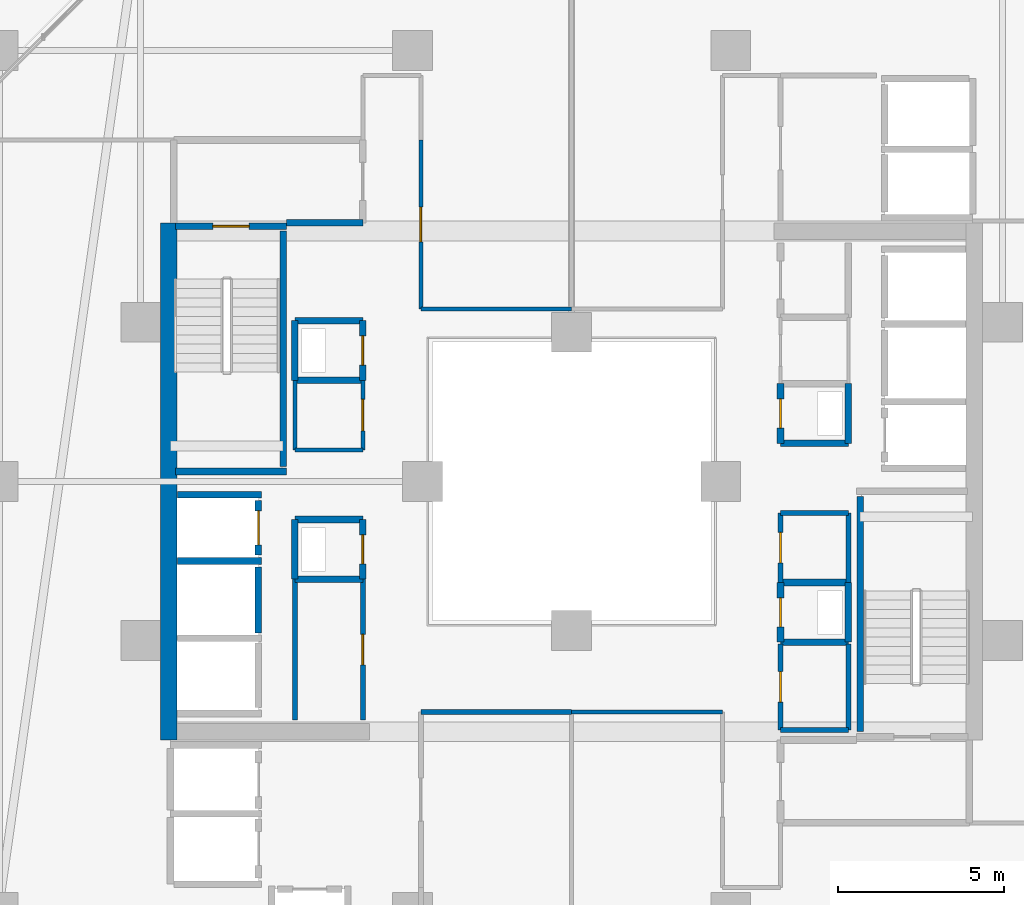
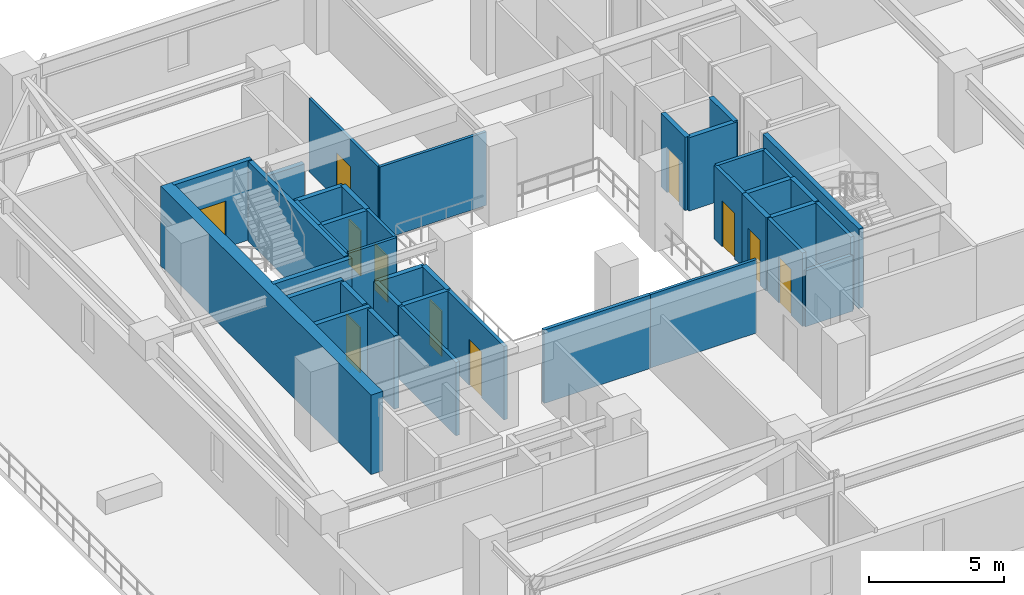
# One storey, part 23 of 31: 40 walls, 11 doors, 11 openings.
"""IFC4 building model written with IfcOpenShell, lengths in metres."""

from ifc_helpers import new_model, si_unit, direction, frame, frame_2d, origin, place, context, subcontext, project, spatial, rectangle, extrude, material, layer, layer_set, type_object, element, fill, save


model = new_model("IFC4")

# Units and contexts
model_context = context("Model", 3, precision=1e-05, world=origin(), true_north=direction((0.0, 1.0)))
body_context = subcontext(model_context, "Body", "Model", "MODEL_VIEW")
ifc_project = project(units=[si_unit("LENGTHUNIT", "METRE"), si_unit("AREAUNIT", "SQUARE_METRE"), si_unit("VOLUMEUNIT", "CUBIC_METRE"), si_unit("PLANEANGLEUNIT", "RADIAN"), si_unit("MASSUNIT", "GRAM", prefix="KILO")], contexts=[model_context])

# Site, building, storey
site_placement = place(None, origin())
site = spatial("IfcSite", under=ifc_project, at=site_placement, CompositionType="ELEMENT")
building_placement = place(site_placement, origin())
building = spatial("IfcBuilding", under=site, at=building_placement, Name="Thornwick Lancets Civic Towers", CompositionType="ELEMENT")
storey_placement = place(building_placement, frame((0.0, 0.0, 119.699951171875)))
storey = spatial("IfcBuildingStorey", under=building, at=storey_placement, Name="L31", CompositionType="ELEMENT", Elevation=119.699951171875)

# Wall, opening, door
ifc_material_1 = material(Name="Concrete blockwork C40/50", Category="masonry")
ifc_layer_1 = layer(ifc_material_1, 0.199951171875, Name="Concrete blockwork C40/50")
ifc_layer_set_1 = layer_set([ifc_layer_1], Name="Concrete blockwork C40/50")
wall_type_1 = type_object("IfcWallType", Name="WALL_COMP_200", PredefinedType="STANDARD", material=ifc_layer_set_1)
wall_1_placement = place(storey_placement, frame((79.050048828125, 24.780029296875, 0.0), z_axis=(0.0, 0.0, 1.0), x_axis=(0.0, 1.0, 0.0)))
wall_1 = element("IfcWall", 1, at=wall_1_placement, inside=storey, type_object=wall_type_1, Name="L31 Hoistway Front Wall FL-B2", PredefinedType="STANDARD", context=body_context, shape_type="SweptSolid", body=[
    extrude(rectangle(XDim=1.639892578125, YDim=0.199951171875, at=frame_2d((0.81982421875, 0.0))), origin(), (0.0, 0.0, 1.0), 3.320068359375),
])
opening_1_placement = place(wall_1_placement, frame((0.31005859375, 0.0, 0.0)))
opening_1 = element("IfcOpeningElement", 2, at=opening_1_placement, cuts=wall_1, Name="Opening LD-FL-B2", PredefinedType="OPENING", context=body_context, shape_type="SweptSolid", body=[
    extrude(rectangle(XDim=1.02001953125, YDim=2.06005859375, at=frame_2d((0.510009765625, 1.030029296875))), frame((0.0, 0.10986328125, 0.0), z_axis=(0.0, -1.0, 0.0), x_axis=(1.0, 0.0, 0.0)), (0.0, 0.0, 1.0), 0.219970703125),
])
ifc_material_2 = material(Name="Brushed bronze stainless steel", Category="steel")
door_type_1 = type_object("IfcDoorType", Name="DOOR_LIFT_SLIDE", OperationType="SLIDING_TO_LEFT", PredefinedType="DOOR", material=ifc_material_2)
door_1_placement = place(opening_1_placement, origin())
door_1 = element("IfcDoor", 3, at=door_1_placement, inside=storey, type_object=door_type_1, Name="L31 Sliding Lift Landing Door LD-FL-B2", OperationType="SLIDING_TO_LEFT", OverallHeight=2.06005859375, OverallWidth=1.02001953125, PredefinedType="DOOR", context=body_context, shape_type="SweptSolid", body=[
    extrude(rectangle(XDim=1.02001953125, YDim=2.06005859375, at=frame_2d((0.510009765625, 1.030029296875))), frame((0.0, 0.02490234375, 0.0), z_axis=(0.0, -1.0, 0.0), x_axis=(1.0, 0.0, 0.0)), (0.0, 0.0, 1.0), 0.050048828125),
])
fill(opening_1, door_1)

# Walls
wall_2_placement = place(storey_placement, frame((79.050048828125, 22.429931640625, 0.0), z_axis=(0.0, 0.0, 1.0), x_axis=(0.0, 1.0, 0.0)))
element("IfcWall", 4, at=wall_2_placement, inside=storey, type_object=wall_type_1, Name="L31 Hoistway Front Wall PL-BH2", PredefinedType="STANDARD", context=body_context, shape_type="SweptSolid", body=[
    extrude(rectangle(XDim=1.989990234375, YDim=0.199951171875, at=frame_2d((0.9951171875, 0.0))), origin(), (0.0, 0.0, 1.0), 3.320068359375),
])
for number, where, z_axis, x_axis, name in (
    (5, (76.612060546875, 26.60009765625, 0.0), (0.0, 0.0, 1.0), (1.0, 0.0, 0.0), "L31 Hoistway Shaft Wall FL-B2 N"),
    (6, (76.612060546875, 24.60009765625, 0.0), (0.0, 0.0, 1.0), (1.0, 0.0, 0.0), "L31 Hoistway Shaft Wall FL-B2 S"),
):
    element("IfcWall", number, at=place(storey_placement, frame(where, z_axis=z_axis, x_axis=x_axis)), inside=storey, type_object=wall_type_1, Name=name, PredefinedType="STANDARD", context=body_context, shape_type="SweptSolid", body=[
        extrude(rectangle(XDim=2.535888671875, YDim=0.199951171875, at=frame_2d((1.26806640625, 0.0))), origin(), (0.0, 0.0, 1.0), 3.320068359375),
    ])
wall_3_placement = place(storey_placement, frame((79.89990234375, 34.800048828125, 0.0), z_axis=(0.0, 0.0, 1.0), x_axis=(1.0, 0.0, 0.0)))
element("IfcWall", 7, at=wall_3_placement, inside=storey, type_object=wall_type_1, Name="L31 Partition L31-B-FFLOB2 E1", PredefinedType="STANDARD", context=body_context, shape_type="SweptSolid", body=[
    extrude(rectangle(XDim=2.300048828125, YDim=0.199951171875, at=frame_2d((1.14990234375, 0.0))), origin(), (0.0, 0.0, 1.0), 2.525146484375),
])
wall_4_placement = place(storey_placement, frame((94.800048828125, 28.14990234375, 0.0), z_axis=(0.0, 0.0, 1.0), x_axis=(1.0, 0.0, 0.0)))
element("IfcWall", 8, at=wall_4_placement, inside=storey, type_object=wall_type_1, Name="L31 Partition L31-B-DUCT1 E1", PredefinedType="STANDARD", context=body_context, shape_type="SweptSolid", body=[
    extrude(rectangle(XDim=2.050048828125, YDim=0.199951171875, at=frame_2d((1.02490234375, 0.0))), origin(), (0.0, 0.0, 1.0), 3.320068359375),
])
wall_5_placement = place(storey_placement, frame((96.85009765625, 28.14990234375, 0.0), z_axis=(0.0, 0.0, 1.0), x_axis=(0.0, 1.0, 0.0)))
element("IfcWall", 9, at=wall_5_placement, inside=storey, type_object=wall_type_1, Name="L31 Partition L31-B-DUCT1 E2", PredefinedType="STANDARD", context=body_context, shape_type="SweptSolid", body=[
    extrude(rectangle(XDim=1.800048828125, YDim=0.199951171875, at=frame_2d((0.89990234375, 0.0))), origin(), (0.0, 0.0, 1.0), 3.320068359375),
])

# Wall, opening, door
wall_6_placement = place(storey_placement, frame((94.800048828125, 29.949951171875, 0.0), z_axis=(0.0, 0.0, 1.0), x_axis=(0.0, -1.0, 0.0)))
wall_6 = element("IfcWall", 10, at=wall_6_placement, inside=storey, type_object=wall_type_1, Name="L31 Partition L31-B-DUCT1 E4", PredefinedType="STANDARD", context=body_context, shape_type="SweptSolid", body=[
    extrude(rectangle(XDim=1.800048828125, YDim=0.199951171875, at=frame_2d((0.89990234375, 0.0))), origin(), (0.0, 0.0, 1.0), 3.320068359375),
])
opening_2_placement = place(wall_6_placement, frame((0.4599609375, 0.0, 0.0)))
opening_2 = element("IfcOpeningElement", 11, at=opening_2_placement, cuts=wall_6, Name="Opening D-L31-1433", PredefinedType="OPENING", context=body_context, shape_type="SweptSolid", body=[
    extrude(rectangle(XDim=0.8798828125, YDim=2.0400390625, at=frame_2d((0.43994140625, 1.02001953125))), frame((0.0, 0.10986328125, 0.0), z_axis=(0.0, -1.0, 0.0), x_axis=(1.0, 0.0, 0.0)), (0.0, 0.0, 1.0), 0.219970703125),
])
ifc_material_3 = material(Name="Steel riser access doorset", Category="steel")
door_type_2 = type_object("IfcDoorType", Name="DOOR_RISER_850", OperationType="NOTDEFINED", PredefinedType="DOOR", material=ifc_material_3)
door_2_placement = place(opening_2_placement, origin())
door_2 = element("IfcDoor", 12, at=door_2_placement, inside=storey, type_object=door_type_2, Name="L31 East Service Duct 1 Door", OperationType="SINGLE_SWING_RIGHT", OverallHeight=2.0400390625, OverallWidth=0.8798828125, PredefinedType="DOOR", context=body_context, shape_type="SweptSolid", body=[
    extrude(rectangle(XDim=0.8798828125, YDim=2.0400390625, at=frame_2d((0.43994140625, 1.02001953125))), frame((0.0, 0.02490234375, 0.0), z_axis=(0.0, -1.0, 0.0), x_axis=(1.0, 0.0, 0.0)), (0.0, 0.0, 1.0), 0.050048828125),
])
fill(opening_2, door_2)

# Walls
wall_7_placement = place(storey_placement, frame((94.800048828125, 22.14990234375, 0.0), z_axis=(0.0, 0.0, 1.0), x_axis=(1.0, 0.0, 0.0)))
element("IfcWall", 13, at=wall_7_placement, inside=storey, type_object=wall_type_1, Name="L31 Partition L31-B-RISER1 E1", PredefinedType="STANDARD", context=body_context, shape_type="SweptSolid", body=[
    extrude(rectangle(XDim=2.050048828125, YDim=0.199951171875, at=frame_2d((1.02490234375, 0.0))), origin(), (0.0, 0.0, 1.0), 3.320068359375),
])
wall_8_placement = place(storey_placement, frame((96.85009765625, 22.14990234375, 0.0), z_axis=(0.0, 0.0, 1.0), x_axis=(0.0, 1.0, 0.0)))
element("IfcWall", 14, at=wall_8_placement, inside=storey, type_object=wall_type_1, Name="L31 Partition L31-B-RISER1 E2", PredefinedType="STANDARD", context=body_context, shape_type="SweptSolid", body=[
    extrude(rectangle(XDim=1.800048828125, YDim=0.199951171875, at=frame_2d((0.89990234375, 0.0))), origin(), (0.0, 0.0, 1.0), 3.320068359375),
])
wall_9_placement = place(storey_placement, frame((96.85009765625, 23.949951171875, 0.0), z_axis=(0.0, 0.0, 1.0), x_axis=(-1.0, 0.0, 0.0)))
element("IfcWall", 15, at=wall_9_placement, inside=storey, type_object=wall_type_1, Name="L31 Partition L31-B-RISER1 E3", PredefinedType="STANDARD", context=body_context, shape_type="SweptSolid", body=[
    extrude(rectangle(XDim=2.050048828125, YDim=0.199951171875, at=frame_2d((1.02490234375, 0.0))), origin(), (0.0, 0.0, 1.0), 3.320068359375),
])

# Wall, opening, door
wall_10_placement = place(storey_placement, frame((94.800048828125, 23.949951171875, 0.0), z_axis=(0.0, 0.0, 1.0), x_axis=(0.0, -1.0, 0.0)))
wall_10 = element("IfcWall", 16, at=wall_10_placement, inside=storey, type_object=wall_type_1, Name="L31 Partition L31-B-RISER1 E4", PredefinedType="STANDARD", context=body_context, shape_type="SweptSolid", body=[
    extrude(rectangle(XDim=1.800048828125, YDim=0.199951171875, at=frame_2d((0.89990234375, 0.0))), origin(), (0.0, 0.0, 1.0), 3.320068359375),
])
opening_3_placement = place(wall_10_placement, frame((0.4599609375, 0.0, 0.0)))
opening_3 = element("IfcOpeningElement", 17, at=opening_3_placement, cuts=wall_10, Name="Opening D-L31-1434", PredefinedType="OPENING", context=body_context, shape_type="SweptSolid", body=[
    extrude(rectangle(XDim=0.8798828125, YDim=2.0400390625, at=frame_2d((0.43994140625, 1.02001953125))), frame((0.0, 0.10986328125, 0.0), z_axis=(0.0, -1.0, 0.0), x_axis=(1.0, 0.0, 0.0)), (0.0, 0.0, 1.0), 0.219970703125),
])
door_3_placement = place(opening_3_placement, origin())
door_3 = element("IfcDoor", 18, at=door_3_placement, inside=storey, type_object=door_type_2, Name="L31 East Electrical Riser 1 Door", OperationType="SINGLE_SWING_LEFT", OverallHeight=2.0400390625, OverallWidth=0.8798828125, PredefinedType="DOOR", context=body_context, shape_type="SweptSolid", body=[
    extrude(rectangle(XDim=0.8798828125, YDim=2.0400390625, at=frame_2d((0.43994140625, 1.02001953125))), frame((0.0, 0.02490234375, 0.0), z_axis=(0.0, -1.0, 0.0), x_axis=(1.0, 0.0, 0.0)), (0.0, 0.0, 1.0), 0.050048828125),
])
fill(opening_3, door_3)

# Wall
wall_11_placement = place(storey_placement, frame((80.14990234375, 24.050048828125, 0.0), z_axis=(0.0, 0.0, 1.0), x_axis=(1.0, 0.0, 0.0)))
element("IfcWall", 19, at=wall_11_placement, inside=storey, type_object=wall_type_1, Name="L31 Partition L31-B-DUCT2 E1", PredefinedType="STANDARD", context=body_context, shape_type="SweptSolid", body=[
    extrude(rectangle(XDim=2.050048828125, YDim=0.199951171875, at=frame_2d((1.02490234375, 0.0))), origin(), (0.0, 0.0, 1.0), 3.320068359375),
])

# Wall, opening, door
wall_12_placement = place(storey_placement, frame((82.199951171875, 24.050048828125, 0.0), z_axis=(0.0, 0.0, 1.0), x_axis=(0.0, 1.0, 0.0)))
wall_12 = element("IfcWall", 20, at=wall_12_placement, inside=storey, type_object=wall_type_1, Name="L31 Partition L31-B-DUCT2 E2", PredefinedType="STANDARD", context=body_context, shape_type="SweptSolid", body=[
    extrude(rectangle(XDim=1.800048828125, YDim=0.199951171875, at=frame_2d((0.89990234375, 0.0))), origin(), (0.0, 0.0, 1.0), 3.320068359375),
])
opening_4_placement = place(wall_12_placement, frame((0.4599609375, 0.0, 0.0)))
opening_4 = element("IfcOpeningElement", 21, at=opening_4_placement, cuts=wall_12, Name="Opening D-L31-1435", PredefinedType="OPENING", context=body_context, shape_type="SweptSolid", body=[
    extrude(rectangle(XDim=0.8798828125, YDim=2.0400390625, at=frame_2d((0.43994140625, 1.02001953125))), frame((0.0, 0.10986328125, 0.0), z_axis=(0.0, -1.0, 0.0), x_axis=(1.0, 0.0, 0.0)), (0.0, 0.0, 1.0), 0.219970703125),
])
door_4_placement = place(opening_4_placement, origin())
door_4 = element("IfcDoor", 22, at=door_4_placement, inside=storey, type_object=door_type_2, Name="L31 West Service Duct 2 Door", OperationType="SINGLE_SWING_RIGHT", OverallHeight=2.0400390625, OverallWidth=0.8798828125, PredefinedType="DOOR", context=body_context, shape_type="SweptSolid", body=[
    extrude(rectangle(XDim=0.8798828125, YDim=2.0400390625, at=frame_2d((0.43994140625, 1.02001953125))), frame((0.0, 0.02490234375, 0.0), z_axis=(0.0, -1.0, 0.0), x_axis=(1.0, 0.0, 0.0)), (0.0, 0.0, 1.0), 0.050048828125),
])
fill(opening_4, door_4)

# Walls
wall_13_placement = place(storey_placement, frame((82.199951171875, 25.85009765625, 0.0), z_axis=(0.0, 0.0, 1.0), x_axis=(-1.0, 0.0, 0.0)))
element("IfcWall", 23, at=wall_13_placement, inside=storey, type_object=wall_type_1, Name="L31 Partition L31-B-DUCT2 E3", PredefinedType="STANDARD", context=body_context, shape_type="SweptSolid", body=[
    extrude(rectangle(XDim=2.050048828125, YDim=0.199951171875, at=frame_2d((1.02490234375, 0.0))), origin(), (0.0, 0.0, 1.0), 3.320068359375),
])
wall_14_placement = place(storey_placement, frame((80.14990234375, 25.85009765625, 0.0), z_axis=(0.0, 0.0, 1.0), x_axis=(0.0, -1.0, 0.0)))
element("IfcWall", 24, at=wall_14_placement, inside=storey, type_object=wall_type_1, Name="L31 Partition L31-B-DUCT2 E4", PredefinedType="STANDARD", context=body_context, shape_type="SweptSolid", body=[
    extrude(rectangle(XDim=1.800048828125, YDim=0.199951171875, at=frame_2d((0.89990234375, 0.0))), origin(), (0.0, 0.0, 1.0), 3.320068359375),
])
wall_15_placement = place(storey_placement, frame((80.14990234375, 30.050048828125, 0.0), z_axis=(0.0, 0.0, 1.0), x_axis=(1.0, 0.0, 0.0)))
element("IfcWall", 25, at=wall_15_placement, inside=storey, type_object=wall_type_1, Name="L31 Partition L31-B-RISER2 E1", PredefinedType="STANDARD", context=body_context, shape_type="SweptSolid", body=[
    extrude(rectangle(XDim=2.050048828125, YDim=0.199951171875, at=frame_2d((1.02490234375, 0.0))), origin(), (0.0, 0.0, 1.0), 3.320068359375),
])

# Wall, opening, door
wall_16_placement = place(storey_placement, frame((82.199951171875, 30.050048828125, 0.0), z_axis=(0.0, 0.0, 1.0), x_axis=(0.0, 1.0, 0.0)))
wall_16 = element("IfcWall", 26, at=wall_16_placement, inside=storey, type_object=wall_type_1, Name="L31 Partition L31-B-RISER2 E2", PredefinedType="STANDARD", context=body_context, shape_type="SweptSolid", body=[
    extrude(rectangle(XDim=1.800048828125, YDim=0.199951171875, at=frame_2d((0.89990234375, 0.0))), origin(), (0.0, 0.0, 1.0), 3.320068359375),
])
opening_5_placement = place(wall_16_placement, frame((0.4599609375, 0.0, 0.0)))
opening_5 = element("IfcOpeningElement", 27, at=opening_5_placement, cuts=wall_16, Name="Opening D-L31-1436", PredefinedType="OPENING", context=body_context, shape_type="SweptSolid", body=[
    extrude(rectangle(XDim=0.8798828125, YDim=2.0400390625, at=frame_2d((0.43994140625, 1.02001953125))), frame((0.0, 0.10986328125, 0.0), z_axis=(0.0, -1.0, 0.0), x_axis=(1.0, 0.0, 0.0)), (0.0, 0.0, 1.0), 0.219970703125),
])
door_5_placement = place(opening_5_placement, origin())
door_5 = element("IfcDoor", 28, at=door_5_placement, inside=storey, type_object=door_type_2, Name="L31 West Service Riser 2 Door", OperationType="SINGLE_SWING_LEFT", OverallHeight=2.0400390625, OverallWidth=0.8798828125, PredefinedType="DOOR", context=body_context, shape_type="SweptSolid", body=[
    extrude(rectangle(XDim=0.8798828125, YDim=2.0400390625, at=frame_2d((0.43994140625, 1.02001953125))), frame((0.0, 0.02490234375, 0.0), z_axis=(0.0, -1.0, 0.0), x_axis=(1.0, 0.0, 0.0)), (0.0, 0.0, 1.0), 0.050048828125),
])
fill(opening_5, door_5)

# Walls
wall_17_placement = place(storey_placement, frame((82.199951171875, 31.85009765625, 0.0), z_axis=(0.0, 0.0, 1.0), x_axis=(-1.0, 0.0, 0.0)))
element("IfcWall", 29, at=wall_17_placement, inside=storey, type_object=wall_type_1, Name="L31 Partition L31-B-RISER2 E3", PredefinedType="STANDARD", context=body_context, shape_type="SweptSolid", body=[
    extrude(rectangle(XDim=2.050048828125, YDim=0.199951171875, at=frame_2d((1.02490234375, 0.0))), origin(), (0.0, 0.0, 1.0), 3.320068359375),
])
wall_18_placement = place(storey_placement, frame((80.14990234375, 31.85009765625, 0.0), z_axis=(0.0, 0.0, 1.0), x_axis=(0.0, -1.0, 0.0)))
element("IfcWall", 30, at=wall_18_placement, inside=storey, type_object=wall_type_1, Name="L31 Partition L31-B-RISER2 E4", PredefinedType="STANDARD", context=body_context, shape_type="SweptSolid", body=[
    extrude(rectangle(XDim=1.800048828125, YDim=0.199951171875, at=frame_2d((0.89990234375, 0.0))), origin(), (0.0, 0.0, 1.0), 3.320068359375),
])
ifc_material_4 = material(Name="Concrete C50/60", Category="concrete")
ifc_layer_2 = layer(ifc_material_4, 0.5, Name="Concrete C50/60")
ifc_layer_set_2 = layer_set([ifc_layer_2], Name="Concrete C50/60")
wall_type_2 = type_object("IfcWallType", Name="WALL_CORE_500", PredefinedType="SHEAR", material=ifc_layer_set_2)
wall_19_placement = place(storey_placement, frame((76.35009765625, 19.199951171875, 0.0), z_axis=(0.0, 0.0, 1.0), x_axis=(0.0, 1.0, 0.0)))
element("IfcWall", 31, at=wall_19_placement, inside=storey, type_object=wall_type_2, Name="L31 Split Core B2 Shear Wall W", PredefinedType="SHEAR", context=body_context, shape_type="SweptSolid", body=[
    extrude(rectangle(XDim=15.60009765625, YDim=0.5, at=frame_2d((7.800048828125, 0.0))), origin(), (0.0, 0.0, 1.0), 3.60009765625),
])
ifc_material_5 = material(Name="Acoustic gypsum board partition")
ifc_layer_3 = layer(ifc_material_5, 0.1201171875, Name="Acoustic gypsum board partition")
ifc_layer_set_3 = layer_set([ifc_layer_3], Name="Acoustic gypsum board partition")
wall_type_3 = type_object("IfcWallType", Name="WALL_PART_120", PredefinedType="PARTITIONING", material=ifc_layer_set_3)
wall_20_placement = place(storey_placement, frame((82.199951171875, 27.949951171875, 0.0), z_axis=(0.0, 0.0, 1.0), x_axis=(-1.0, 0.0, 0.0)))
element("IfcWall", 32, at=wall_20_placement, inside=storey, type_object=wall_type_3, Name="L31 Partition L31-B-ITR E1", PredefinedType="PARTITIONING", context=body_context, shape_type="SweptSolid", body=[
    extrude(rectangle(XDim=2.050048828125, YDim=0.1201171875, at=frame_2d((1.02490234375, 0.0))), origin(), (0.0, 0.0, 1.0), 3.320068359375),
])
wall_21_placement = place(storey_placement, frame((80.14990234375, 27.949951171875, 0.0), z_axis=(0.0, 0.0, 1.0), x_axis=(0.0, 1.0, 0.0)))
element("IfcWall", 33, at=wall_21_placement, inside=storey, type_object=wall_type_3, Name="L31 Partition L31-B-ITR E2", PredefinedType="PARTITIONING", context=body_context, shape_type="SweptSolid", body=[
    extrude(rectangle(XDim=2.10009765625, YDim=0.1201171875, at=frame_2d((1.050048828125, 0.0))), origin(), (0.0, 0.0, 1.0), 3.320068359375),
])

# Wall, opening, door
wall_22_placement = place(storey_placement, frame((82.199951171875, 30.050048828125, 0.0), z_axis=(0.0, 0.0, 1.0), x_axis=(0.0, -1.0, 0.0)))
wall_22 = element("IfcWall", 34, at=wall_22_placement, inside=storey, type_object=wall_type_3, Name="L31 Partition L31-B-ITR E4", PredefinedType="PARTITIONING", context=body_context, shape_type="SweptSolid", body=[
    extrude(rectangle(XDim=2.10009765625, YDim=0.1201171875, at=frame_2d((1.050048828125, 0.0))), origin(), (0.0, 0.0, 1.0), 3.320068359375),
])
opening_6_placement = place(wall_22_placement, frame((0.574951171875, 0.0, 0.0)))
opening_6 = element("IfcOpeningElement", 35, at=opening_6_placement, cuts=wall_22, Name="Opening D-L31-1442", PredefinedType="OPENING", context=body_context, shape_type="SweptSolid", body=[
    extrude(rectangle(XDim=0.949951171875, YDim=2.10009765625, at=frame_2d((0.47509765625, 1.050048828125))), frame((0.0, 0.070068359375, 0.0), z_axis=(0.0, -1.0, 0.0), x_axis=(1.0, 0.0, 0.0)), (0.0, 0.0, 1.0), 0.14013671875),
])
ifc_material_6 = material(Name="European oak acoustic doorset")
door_type_3 = type_object("IfcDoorType", Name="DOOR_OFFICE_950", OperationType="NOTDEFINED", PredefinedType="DOOR", material=ifc_material_6)
door_6_placement = place(opening_6_placement, origin())
door_6 = element("IfcDoor", 36, at=door_6_placement, inside=storey, type_object=door_type_3, Name="L31 Tower B Comms Patch Room Door", OperationType="SINGLE_SWING_LEFT", OverallHeight=2.10009765625, OverallWidth=0.949951171875, PredefinedType="DOOR", context=body_context, shape_type="SweptSolid", body=[
    extrude(rectangle(XDim=0.949951171875, YDim=2.10009765625, at=frame_2d((0.47509765625, 1.050048828125))), frame((0.0, 0.02490234375, 0.0), z_axis=(0.0, -1.0, 0.0), x_axis=(1.0, 0.0, 0.0)), (0.0, 0.0, 1.0), 0.050048828125),
])
fill(opening_6, door_6)

# Wall
wall_23_placement = place(storey_placement, frame((88.5, 20.050048828125, 0.0), z_axis=(0.0, 0.0, 1.0), x_axis=(1.0, 0.0, 0.0)))
element("IfcWall", 37, at=wall_23_placement, inside=storey, type_object=wall_type_3, Name="L31 Partition L31-B-W1 E3", PredefinedType="PARTITIONING", context=body_context, shape_type="SweptSolid", body=[
    extrude(rectangle(XDim=4.550048828125, YDim=0.1201171875, at=frame_2d((2.27490234375, 0.0))), origin(), (0.0, 0.0, 1.0), 3.320068359375),
])

# Wall, opening, door
wall_24_placement = place(storey_placement, frame((83.949951171875, 32.199951171875, 0.0), z_axis=(0.0, 0.0, 1.0), x_axis=(0.0, 1.0, 0.0)))
wall_24 = element("IfcWall", 38, at=wall_24_placement, inside=storey, type_object=wall_type_3, Name="L31 Partition L31-B-E3 E1", PredefinedType="PARTITIONING", context=body_context, shape_type="SweptSolid", body=[
    extrude(rectangle(XDim=5.10009765625, YDim=0.1201171875, at=frame_2d((2.550048828125, 0.0))), origin(), (0.0, 0.0, 1.0), 3.320068359375),
])
opening_7_placement = place(wall_24_placement, frame((2.02490234375, 0.0, 0.0)))
opening_7 = element("IfcOpeningElement", 39, at=opening_7_placement, cuts=wall_24, Name="Opening D-L31-1452", PredefinedType="OPENING", context=body_context, shape_type="SweptSolid", body=[
    extrude(rectangle(XDim=1.050048828125, YDim=2.10009765625, at=frame_2d((0.52490234375, 1.050048828125))), frame((0.0, 0.070068359375, 0.0), z_axis=(0.0, -1.0, 0.0), x_axis=(1.0, 0.0, 0.0)), (0.0, 0.0, 1.0), 0.14013671875),
])
ifc_material_7 = material(Name="Glazed European oak executive doorset")
door_type_4 = type_object("IfcDoorType", Name="DOOR_OFFICE_1050", OperationType="NOTDEFINED", PredefinedType="DOOR", material=ifc_material_7)
door_7_placement = place(opening_7_placement, origin())
door_7 = element("IfcDoor", 40, at=door_7_placement, inside=storey, type_object=door_type_4, Name="L31 Tower B Civic Seminar Room Door", OperationType="SINGLE_SWING_LEFT", OverallHeight=2.10009765625, OverallWidth=1.050048828125, PredefinedType="DOOR", context=body_context, shape_type="SweptSolid", body=[
    extrude(rectangle(XDim=1.050048828125, YDim=2.10009765625, at=frame_2d((0.52490234375, 1.050048828125))), frame((0.0, 0.02490234375, 0.0), z_axis=(0.0, -1.0, 0.0), x_axis=(1.0, 0.0, 0.0)), (0.0, 0.0, 1.0), 0.050048828125),
])
fill(opening_7, door_7)

# Walls
wall_25_placement = place(storey_placement, frame((88.5, 32.199951171875, 0.0), z_axis=(0.0, 0.0, 1.0), x_axis=(-1.0, 0.0, 0.0)))
element("IfcWall", 41, at=wall_25_placement, inside=storey, type_object=wall_type_3, Name="L31 Partition L31-B-E3 E11", PredefinedType="PARTITIONING", context=body_context, shape_type="SweptSolid", body=[
    extrude(rectangle(XDim=4.550048828125, YDim=0.1201171875, at=frame_2d((2.27490234375, 0.0))), origin(), (0.0, 0.0, 1.0), 3.320068359375),
])
ifc_material_8 = material(Name="Twin-stud acoustic gypsum board")
ifc_layer_4 = layer(ifc_material_8, 0.14990234375, Name="Twin-stud acoustic gypsum board")
ifc_layer_set_4 = layer_set([ifc_layer_4], Name="Twin-stud acoustic gypsum board")
wall_type_4 = type_object("IfcWallType", Name="WALL_PART_150", PredefinedType="PARTITIONING", material=ifc_layer_set_4)
wall_26_placement = place(storey_placement, frame((94.800048828125, 19.5, 0.0), z_axis=(0.0, 0.0, 1.0), x_axis=(1.0, 0.0, 0.0)))
element("IfcWall", 42, at=wall_26_placement, inside=storey, type_object=wall_type_4, Name="L31 Partition L31-B-MWC E1", PredefinedType="PARTITIONING", context=body_context, shape_type="SweptSolid", body=[
    extrude(rectangle(XDim=2.050048828125, YDim=0.14990234375, at=frame_2d((1.02490234375, 0.0))), origin(), (0.0, 0.0, 1.0), 2.525146484375),
])
wall_27_placement = place(storey_placement, frame((96.85009765625, 19.5, 0.0), z_axis=(0.0, 0.0, 1.0), x_axis=(0.0, 1.0, 0.0)))
element("IfcWall", 43, at=wall_27_placement, inside=storey, type_object=wall_type_4, Name="L31 Partition L31-B-MWC E2", PredefinedType="PARTITIONING", context=body_context, shape_type="SweptSolid", body=[
    extrude(rectangle(XDim=2.60009765625, YDim=0.14990234375, at=frame_2d((1.300048828125, 0.0))), origin(), (0.0, 0.0, 1.0), 3.320068359375),
])

# Wall, opening, door
wall_28_placement = place(storey_placement, frame((94.800048828125, 22.10009765625, 0.0), z_axis=(0.0, 0.0, 1.0), x_axis=(0.0, -1.0, 0.0)))
wall_28 = element("IfcWall", 44, at=wall_28_placement, inside=storey, type_object=wall_type_4, Name="L31 Partition L31-B-MWC E4", PredefinedType="PARTITIONING", context=body_context, shape_type="SweptSolid", body=[
    extrude(rectangle(XDim=2.60009765625, YDim=0.14990234375, at=frame_2d((1.300048828125, 0.0))), origin(), (0.0, 0.0, 1.0), 3.320068359375),
])
opening_8_placement = place(wall_28_placement, frame((0.840087890625, 0.0, 0.0)))
opening_8 = element("IfcOpeningElement", 45, at=opening_8_placement, cuts=wall_28, Name="Opening D-L31-1437", PredefinedType="OPENING", context=body_context, shape_type="SweptSolid", body=[
    extrude(rectangle(XDim=0.919921875, YDim=2.080078125, at=frame_2d((0.4599609375, 1.0400390625))), frame((0.0, 0.0849609375, 0.0), z_axis=(0.0, -1.0, 0.0), x_axis=(1.0, 0.0, 0.0)), (0.0, 0.0, 1.0), 0.169921875),
])
ifc_material_9 = material(Name="Moisture-resistant oak doorset")
door_type_5 = type_object("IfcDoorType", Name="DOOR_WC_900", OperationType="NOTDEFINED", PredefinedType="DOOR", material=ifc_material_9)
door_8_placement = place(opening_8_placement, origin())
door_8 = element("IfcDoor", 46, at=door_8_placement, inside=storey, type_object=door_type_5, Name="L31 Tower B Male WC Door", OperationType="SINGLE_SWING_RIGHT", OverallHeight=2.080078125, OverallWidth=0.919921875, PredefinedType="DOOR", context=body_context, shape_type="SweptSolid", body=[
    extrude(rectangle(XDim=0.919921875, YDim=2.080078125, at=frame_2d((0.4599609375, 1.0400390625))), frame((0.0, 0.02490234375, 0.0), z_axis=(0.0, -1.0, 0.0), x_axis=(1.0, 0.0, 0.0)), (0.0, 0.0, 1.0), 0.050048828125),
])
fill(opening_8, door_8)

wall_29_placement = place(storey_placement, frame((94.800048828125, 23.949951171875, 0.0), z_axis=(0.0, 0.0, 1.0), x_axis=(0.0, 1.0, 0.0)))
wall_29 = element("IfcWall", 47, at=wall_29_placement, inside=storey, type_object=wall_type_4, Name="L31 Partition L31-B-AWC E1", PredefinedType="PARTITIONING", context=body_context, shape_type="SweptSolid", body=[
    extrude(rectangle(XDim=2.10009765625, YDim=0.14990234375, at=frame_2d((1.050048828125, 0.0))), origin(), (0.0, 0.0, 1.0), 3.320068359375),
])
opening_9_placement = place(wall_29_placement, frame((0.590087890625, 0.0, 0.0)))
opening_9 = element("IfcOpeningElement", 48, at=opening_9_placement, cuts=wall_29, Name="Opening D-L31-1438", PredefinedType="OPENING", context=body_context, shape_type="SweptSolid", body=[
    extrude(rectangle(XDim=0.919921875, YDim=2.080078125, at=frame_2d((0.4599609375, 1.0400390625))), frame((0.0, 0.0849609375, 0.0), z_axis=(0.0, -1.0, 0.0), x_axis=(1.0, 0.0, 0.0)), (0.0, 0.0, 1.0), 0.169921875),
])
door_9_placement = place(opening_9_placement, origin())
door_9 = element("IfcDoor", 49, at=door_9_placement, inside=storey, type_object=door_type_5, Name="L31 Tower B Accessible WC Door", OperationType="SINGLE_SWING_LEFT", OverallHeight=2.080078125, OverallWidth=0.919921875, PredefinedType="DOOR", context=body_context, shape_type="SweptSolid", body=[
    extrude(rectangle(XDim=0.919921875, YDim=2.080078125, at=frame_2d((0.4599609375, 1.0400390625))), frame((0.0, 0.02490234375, 0.0), z_axis=(0.0, -1.0, 0.0), x_axis=(1.0, 0.0, 0.0)), (0.0, 0.0, 1.0), 0.050048828125),
])
fill(opening_9, door_9)

# Walls
wall_30_placement = place(storey_placement, frame((94.800048828125, 26.050048828125, 0.0), z_axis=(0.0, 0.0, 1.0), x_axis=(1.0, 0.0, 0.0)))
element("IfcWall", 50, at=wall_30_placement, inside=storey, type_object=wall_type_4, Name="L31 Partition L31-B-AWC E2", PredefinedType="PARTITIONING", context=body_context, shape_type="SweptSolid", body=[
    extrude(rectangle(XDim=2.050048828125, YDim=0.14990234375, at=frame_2d((1.02490234375, 0.0))), origin(), (0.0, 0.0, 1.0), 3.320068359375),
])
wall_31_placement = place(storey_placement, frame((96.85009765625, 26.050048828125, 0.0), z_axis=(0.0, 0.0, 1.0), x_axis=(0.0, -1.0, 0.0)))
element("IfcWall", 51, at=wall_31_placement, inside=storey, type_object=wall_type_4, Name="L31 Partition L31-B-AWC E3", PredefinedType="PARTITIONING", context=body_context, shape_type="SweptSolid", body=[
    extrude(rectangle(XDim=2.10009765625, YDim=0.14990234375, at=frame_2d((1.050048828125, 0.0))), origin(), (0.0, 0.0, 1.0), 3.320068359375),
])
wall_32_placement = place(storey_placement, frame((80.14990234375, 19.800048828125, 0.0), z_axis=(0.0, 0.0, 1.0), x_axis=(0.0, 1.0, 0.0)))
element("IfcWall", 52, at=wall_32_placement, inside=storey, type_object=wall_type_4, Name="L31 Partition L31-B-FWC E2", PredefinedType="PARTITIONING", context=body_context, shape_type="SweptSolid", body=[
    extrude(rectangle(XDim=4.25, YDim=0.14990234375, at=frame_2d((2.125, 0.0))), origin(), (0.0, 0.0, 1.0), 3.320068359375),
])

# Wall, opening, door
wall_33_placement = place(storey_placement, frame((82.199951171875, 24.050048828125, 0.0), z_axis=(0.0, 0.0, 1.0), x_axis=(0.0, -1.0, 0.0)))
wall_33 = element("IfcWall", 53, at=wall_33_placement, inside=storey, type_object=wall_type_4, Name="L31 Partition L31-B-FWC E4", PredefinedType="PARTITIONING", context=body_context, shape_type="SweptSolid", body=[
    extrude(rectangle(XDim=4.25, YDim=0.14990234375, at=frame_2d((2.125, 0.0))), origin(), (0.0, 0.0, 1.0), 3.320068359375),
])
opening_10_placement = place(wall_33_placement, frame((1.6650390625, 0.0, 0.0)))
opening_10 = element("IfcOpeningElement", 54, at=opening_10_placement, cuts=wall_33, Name="Opening D-L31-1441", PredefinedType="OPENING", context=body_context, shape_type="SweptSolid", body=[
    extrude(rectangle(XDim=0.919921875, YDim=2.080078125, at=frame_2d((0.4599609375, 1.0400390625))), frame((0.0, 0.0849609375, 0.0), z_axis=(0.0, -1.0, 0.0), x_axis=(1.0, 0.0, 0.0)), (0.0, 0.0, 1.0), 0.169921875),
])
door_10_placement = place(opening_10_placement, origin())
door_10 = element("IfcDoor", 55, at=door_10_placement, inside=storey, type_object=door_type_5, Name="L31 Tower B Female WC Door", OperationType="SINGLE_SWING_RIGHT", OverallHeight=2.080078125, OverallWidth=0.919921875, PredefinedType="DOOR", context=body_context, shape_type="SweptSolid", body=[
    extrude(rectangle(XDim=0.919921875, YDim=2.080078125, at=frame_2d((0.4599609375, 1.0400390625))), frame((0.0, 0.02490234375, 0.0), z_axis=(0.0, -1.0, 0.0), x_axis=(1.0, 0.0, 0.0)), (0.0, 0.0, 1.0), 0.050048828125),
])
fill(opening_10, door_10)

# Walls
wall_34_placement = place(storey_placement, frame((83.949951171875, 20.050048828125, 0.0), z_axis=(0.0, 0.0, 1.0), x_axis=(1.0, 0.0, 0.0)))
element("IfcWall", 56, at=wall_34_placement, inside=storey, type_object=wall_type_4, Name="L31 Partition L31-B-W2 E2", PredefinedType="PARTITIONING", context=body_context, shape_type="SweptSolid", body=[
    extrude(rectangle(XDim=4.550048828125, YDim=0.14990234375, at=frame_2d((2.27490234375, 0.0))), origin(), (0.0, 0.0, 1.0), 3.320068359375),
])
ifc_material_10 = material(Name="Concrete C40/50", Category="concrete")
ifc_layer_5 = layer(ifc_material_10, 0.199951171875, Name="Concrete C40/50")
ifc_layer_set_5 = layer_set([ifc_layer_5], Name="Concrete C40/50")
wall_type_5 = type_object("IfcWallType", Name="WALL_SHAFT_200", PredefinedType="SHEAR", material=ifc_layer_set_5)
wall_35_placement = place(storey_placement, frame((97.202880859375, 26.550048828125, 0.0), z_axis=(0.0, 0.0, 1.0), x_axis=(0.0, -1.0, 0.0)))
element("IfcWall", 57, at=wall_35_placement, inside=storey, type_object=wall_type_5, Name="L31 ST-B1 Fire Stair Core Wall RIGHT", PredefinedType="SHEAR", context=body_context, shape_type="SweptSolid", body=[
    extrude(rectangle(XDim=7.10009765625, YDim=0.199951171875, at=frame_2d((3.550048828125, 0.0))), origin(), (0.0, 0.0, 1.0), 3.60009765625),
])

# Wall, opening, door
wall_36_placement = place(storey_placement, frame((76.550048828125, 34.699951171875, 0.0), z_axis=(0.0, 0.0, 1.0), x_axis=(1.0, 0.0, 0.0)))
wall_36 = element("IfcWall", 58, at=wall_36_placement, inside=storey, type_object=wall_type_5, Name="L31 ST-B2 Fire Stair Core Wall NEAR", PredefinedType="SHEAR", context=body_context, shape_type="SweptSolid", body=[
    extrude(rectangle(XDim=3.349853515625, YDim=0.199951171875, at=frame_2d((1.6748046875, 0.0))), origin(), (0.0, 0.0, 1.0), 3.60009765625),
])
opening_11_placement = place(wall_36_placement, frame((1.125, 0.0, 0.0)))
opening_11 = element("IfcOpeningElement", 59, at=opening_11_placement, cuts=wall_36, Name="Opening D-ST-B2-L31", PredefinedType="OPENING", context=body_context, shape_type="SweptSolid", body=[
    extrude(rectangle(XDim=1.10009765625, YDim=2.10009765625, at=frame_2d((0.550048828125, 1.050048828125))), frame((0.0, 0.10986328125, 0.0), z_axis=(0.0, -1.0, 0.0), x_axis=(1.0, 0.0, 0.0)), (0.0, 0.0, 1.0), 0.219970703125),
])
ifc_material_11 = material(Name="Fire-resisting steel and hardwood", Category="steel")
door_type_6 = type_object("IfcDoorType", Name="DOOR_STAIR_FD60", OperationType="NOTDEFINED", PredefinedType="DOOR", material=ifc_material_11)
door_11_placement = place(opening_11_placement, origin())
door_11 = element("IfcDoor", 60, at=door_11_placement, inside=storey, type_object=door_type_6, Name="L31 ST-B2 Exit Stair Door", OperationType="SINGLE_SWING_LEFT", OverallHeight=2.10009765625, OverallWidth=1.10009765625, PredefinedType="DOOR", context=body_context, shape_type="SweptSolid", body=[
    extrude(rectangle(XDim=1.10009765625, YDim=2.10009765625, at=frame_2d((0.550048828125, 1.050048828125))), frame((0.0, 0.02490234375, 0.0), z_axis=(0.0, -1.0, 0.0), x_axis=(1.0, 0.0, 0.0)), (0.0, 0.0, 1.0), 0.050048828125),
])
fill(opening_11, door_11)

# Walls
wall_37_placement = place(storey_placement, frame((79.89990234375, 27.300048828125, 0.0), z_axis=(0.0, 0.0, 1.0), x_axis=(-1.0, 0.0, 0.0)))
element("IfcWall", 61, at=wall_37_placement, inside=storey, type_object=wall_type_5, Name="L31 ST-B2 Fire Stair Core Wall FAR", PredefinedType="SHEAR", context=body_context, shape_type="SweptSolid", body=[
    extrude(rectangle(XDim=3.349853515625, YDim=0.199951171875, at=frame_2d((1.6748046875, 0.0))), origin(), (0.0, 0.0, 1.0), 3.60009765625),
])
wall_38_placement = place(storey_placement, frame((79.797119140625, 27.449951171875, 0.0), z_axis=(0.0, 0.0, 1.0), x_axis=(0.0, 1.0, 0.0)))
element("IfcWall", 62, at=wall_38_placement, inside=storey, type_object=wall_type_5, Name="L31 ST-B2 Fire Stair Core Wall RIGHT", PredefinedType="SHEAR", context=body_context, shape_type="SweptSolid", body=[
    extrude(rectangle(XDim=7.10009765625, YDim=0.199951171875, at=frame_2d((3.550048828125, 0.0))), origin(), (0.0, 0.0, 1.0), 3.60009765625),
])

save(model, "model.ifc")
